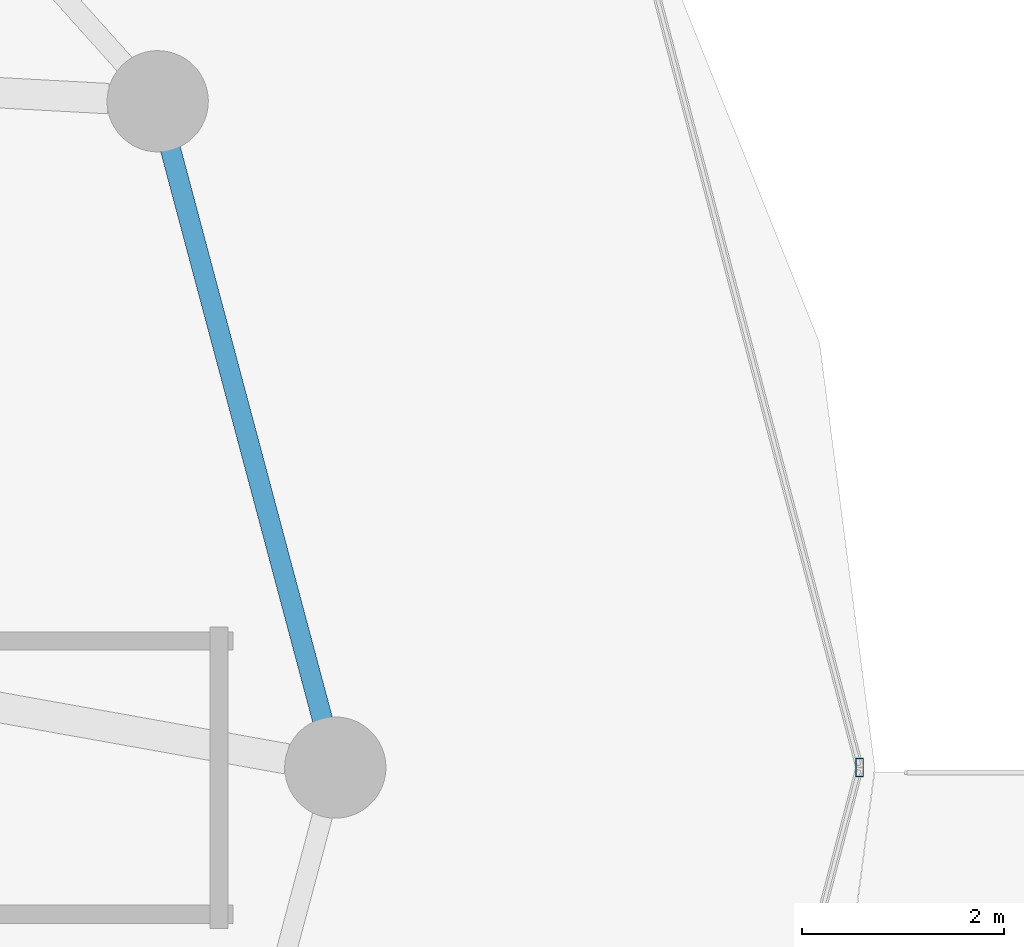
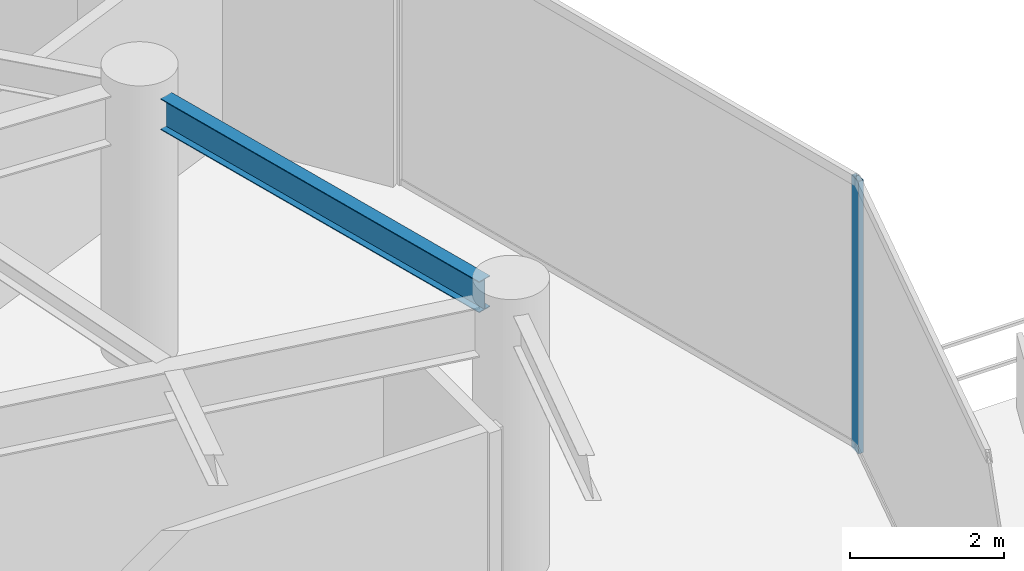
# One storey, part 15 of 31: 1 beam, 1 member, 1 element without a shape of its own.
"""IFC4 building model written with IfcOpenShell, lengths in metres."""

import ifcopenshell
import ifcopenshell.guid

model = None  # the IFC model being written
_history = None  # IfcOwnerHistory: only IFC2X3 demands one
_inside = {}  # id of a spatial element -> (the spatial element, [elements in it])
_under = {}  # id of a project, library or spatial element -> (it, [spatial elements below it])
_declared = {}  # id of a project -> (the project, [libraries it declares])
_typed = {}  # id of a type object -> (the type object, [elements of that type])
_made_of = {}  # id of a material, layer set ... -> (it, [elements and type objects made of it])


def new_model(schema):
    """Start an empty IFC model of exactly this schema.

    Asked for "IFC4X3", IfcOpenShell would pick the latest addendum, in which some entities
    have other attributes; the version numbers below select the first issue.
    IFC2X3 requires an IfcOwnerHistory on every rooted entity: one is made here for all.
    """
    global model, _history
    if schema == "IFC4X3":
        model = ifcopenshell.file(schema_version=(4, 3, 0, 0))
    else:
        model = ifcopenshell.file(schema=schema)
    _inside.clear()
    _under.clear()
    _declared.clear()
    _typed.clear()
    _made_of.clear()
    _history = None
    if model.schema == "IFC2X3":
        org = make("IfcOrganization", Name="unknown")
        user = make(
            "IfcPersonAndOrganization",
            ThePerson=make("IfcPerson", FamilyName="unknown"),
            TheOrganization=org,
        )
        app = make(
            "IfcApplication",
            ApplicationDeveloper=org,
            Version="unknown",
            ApplicationFullName="unknown",
            ApplicationIdentifier="unknown",
        )
        _history = make(
            "IfcOwnerHistory",
            OwningUser=user,
            OwningApplication=app,
            ChangeAction="ADDED",
            CreationDate=0,
        )
    return model


def make(cls, **values):
    """One entity of the class cls with the attributes given. An attribute that is None is left unset."""
    return model.create_entity(
        cls, **{name: value for name, value in values.items() if value is not None}
    )


def rooted(cls, **values):
    """An entity with a GlobalId (a new one), such as an element, a storey or a relation."""
    return make(cls, GlobalId=ifcopenshell.guid.new(), OwnerHistory=_history, **values)


def si_unit(unit_type, name, prefix=None):
    """IfcSIUnit, for example si_unit("LENGTHUNIT", "METRE", prefix="MILLI")."""
    return make("IfcSIUnit", UnitType=unit_type, Prefix=prefix, Name=name)


def assignment(units):
    """IfcUnitAssignment: the units of a project."""
    return None if units is None else make("IfcUnitAssignment", Units=units)


def point(xyz):
    """IfcCartesianPoint."""
    return None if xyz is None else make("IfcCartesianPoint", Coordinates=xyz)


def direction(xyz):
    """IfcDirection."""
    return None if xyz is None else make("IfcDirection", DirectionRatios=xyz)


def frame(location, z_axis=None, x_axis=None):
    """IfcAxis2Placement3D, a coordinate frame: its origin and axes. An axis left out is left unset."""
    return make(
        "IfcAxis2Placement3D",
        Location=point(location),
        Axis=direction(z_axis),
        RefDirection=direction(x_axis),
    )


def frame_2d(location, x_axis=None):
    """IfcAxis2Placement2D, a coordinate frame in the plane: its origin and x axis."""
    return make(
        "IfcAxis2Placement2D", Location=point(location), RefDirection=direction(x_axis)
    )


def origin():
    """The frame at (0, 0, 0) with its axes left unset."""
    return frame((0.0, 0.0, 0.0))


def origin_2d():
    """The frame at (0, 0) in the plane with its x axis left unset."""
    return frame_2d((0.0, 0.0))


def place(relative_to, where):
    """IfcLocalPlacement: puts the frame where relative to a parent placement (None: the world)."""
    return make(
        "IfcLocalPlacement", PlacementRelTo=relative_to, RelativePlacement=where
    )


def context(
    kind, dimensions, precision=None, world=None, true_north=None, identifier=None
):
    """IfcGeometricRepresentationContext, for example the 3D "Model" context."""
    return make(
        "IfcGeometricRepresentationContext",
        ContextIdentifier=identifier,
        ContextType=kind,
        CoordinateSpaceDimension=dimensions,
        Precision=precision,
        WorldCoordinateSystem=world,
        TrueNorth=true_north,
    )


def subcontext(parent, identifier, kind, view, scale=None):
    """IfcGeometricRepresentationSubContext, for example "Body" below "Model"."""
    return make(
        "IfcGeometricRepresentationSubContext",
        ContextIdentifier=identifier,
        ContextType=kind,
        ParentContext=parent,
        TargetScale=scale,
        TargetView=view,
    )


def project(units=None, contexts=None):
    """IfcProject with its units and contexts."""
    return rooted(
        "IfcProject",
        Name="project",
        RepresentationContexts=contexts,
        UnitsInContext=assignment(units),
    )


def spatial(cls, under=None, at=None, **own):
    """A site, building, storey or space (cls), placed at a placement, below another one or the project."""
    s = rooted(cls, ObjectPlacement=at, **own)
    if under is not None:
        _under.setdefault(under.id(), (under, []))[1].append(s)
    return s


def profile(cls, at=None, kind="AREA", **sizes):
    """A parametric profile (cls). Its sizes go by their IFC names, for example OverallWidth=200.0."""
    return make(cls, ProfileType=kind, Position=at, **sizes)


def hollow_rectangle(**sizes):
    """IfcRectangleHollowProfileDef."""
    return profile("IfcRectangleHollowProfileDef", **sizes)


def i_section(**sizes):
    """IfcIShapeProfileDef."""
    return profile("IfcIShapeProfileDef", **sizes)


def extrude(swept, where, along, depth):
    """IfcExtrudedAreaSolid: the profile swept, set in the frame where, extruded along a direction by depth."""
    return make(
        "IfcExtrudedAreaSolid",
        SweptArea=swept,
        Position=where,
        ExtrudedDirection=direction(along),
        Depth=depth,
    )


def shape(context_of_items, identifier, shape_type, items):
    """IfcShapeRepresentation: the items that make up one representation, for example the "Body"."""
    return make(
        "IfcShapeRepresentation",
        ContextOfItems=context_of_items,
        RepresentationIdentifier=identifier,
        RepresentationType=shape_type,
        Items=items,
    )


def material(Name=None, Category=None):
    """IfcMaterial."""
    return make("IfcMaterial", Name=Name, Category=Category)


def material_profile(
    of_material, cross_section, Name=None, Category=None, Priority=None
):
    """IfcMaterialProfile: a cross section and its material."""
    return make(
        "IfcMaterialProfile",
        Name=Name,
        Material=of_material,
        Profile=cross_section,
        Priority=Priority,
        Category=Category,
    )


def profile_set(profiles, Name=None, composite=None):
    """IfcMaterialProfileSet."""
    return make(
        "IfcMaterialProfileSet",
        Name=Name,
        MaterialProfiles=profiles,
        CompositeProfile=composite,
    )


def made_of(thing, what):
    """Note that an element or type object is made of a material, layer set ...; save() writes the relation."""
    if what is not None:
        _made_of.setdefault(what.id(), (what, []))[1].append(thing)
    return thing


def type_object(cls, material=None, **own):
    """A type object (cls), such as IfcWallType, which elements share."""
    return made_of(rooted(cls, **own), material)


def element(
    cls,
    number,
    at=None,
    inside=None,
    cuts=None,
    type_object=None,
    material=None,
    context=None,
    identifier="Body",
    shape_type=None,
    held_by="IfcProductDefinitionShape",
    body=None,
    shapes=None,
    **own,
):
    """One element of the class cls, such as IfcWall. Its Tag is "e" and its number.

    at: its placement. inside: the storey or other place that contains it. cuts: it is an
    opening in that element (IfcRelVoidsElement). A single representation is given by context,
    identifier, shape_type and body (its items); several are given by shapes. held_by: the class
    of the entity that holds the representations. save() writes the other relations.
    """
    e = rooted(cls, Tag="e%d" % number, ObjectPlacement=at, **own)
    if body is not None:
        shapes = [shape(context, identifier, shape_type, body)]
    if shapes is not None:
        e.Representation = make(held_by, Representations=shapes)
    if inside is not None:
        _inside.setdefault(inside.id(), (inside, []))[1].append(e)
    if cuts is not None:
        rooted(
            "IfcRelVoidsElement", RelatingBuildingElement=cuts, RelatedOpeningElement=e
        )
    if type_object is not None:
        _typed.setdefault(type_object.id(), (type_object, []))[1].append(e)
    return made_of(e, material)


def aggregate(whole, parts):
    """IfcRelAggregates: a whole, such as a stair, and the parts it consists of."""
    return rooted("IfcRelAggregates", RelatingObject=whole, RelatedObjects=parts)


def save(model, path):
    """Write the relations noted so far, then the file.

    IfcRelAggregates (storeys below a building ...), IfcRelContainedInSpatialStructure (elements
    in a storey), IfcRelDefinesByType, IfcRelAssociatesMaterial and IfcRelDeclares: one each for
    every whole, place, type object, material and project.
    """
    for whole, parts in _under.values():
        aggregate(whole, parts)
    for where, things in _inside.values():
        rooted(
            "IfcRelContainedInSpatialStructure",
            RelatedElements=things,
            RelatingStructure=where,
        )
    for kind, things in _typed.values():
        rooted("IfcRelDefinesByType", RelatedObjects=things, RelatingType=kind)
    for what, things in _made_of.values():
        rooted("IfcRelAssociatesMaterial", RelatedObjects=things, RelatingMaterial=what)
    for by, libraries in _declared.values():
        rooted("IfcRelDeclares", RelatingContext=by, RelatedDefinitions=libraries)
    model.write(path)


model = new_model("IFC4")

# Units and contexts
model_context = context("Model", 3, precision=1e-05, world=origin(), true_north=direction((0.0, 1.0)))
body_context = subcontext(model_context, "Body", "Model", "MODEL_VIEW")
ifc_project = project(units=[si_unit("LENGTHUNIT", "METRE"), si_unit("AREAUNIT", "SQUARE_METRE"), si_unit("VOLUMEUNIT", "CUBIC_METRE"), si_unit("PLANEANGLEUNIT", "RADIAN"), si_unit("MASSUNIT", "GRAM", prefix="KILO")], contexts=[model_context])

# Site, building, storey
site_placement = place(None, origin())
site = spatial("IfcSite", under=ifc_project, at=site_placement, CompositionType="ELEMENT")
building_placement = place(site_placement, origin())
building = spatial("IfcBuilding", under=site, at=building_placement, Name="Vorneva Point Tower", CompositionType="ELEMENT")
storey_placement = place(building_placement, frame((0.0, 0.0, 174.60009765625)))
storey = spatial("IfcBuildingStorey", under=building, at=storey_placement, Name="L47", CompositionType="ELEMENT", Elevation=174.60009765625)

# Beam
ifc_material_1 = material(Name="Steel S355", Category="steel")
ifc_material_profile_1 = material_profile(ifc_material_1, i_section(OverallWidth=0.199951171875, OverallDepth=0.491943359375, WebThickness=0.0087890625, FlangeThickness=0.011962890625, at=origin_2d()), Name="50B1")
ifc_profile_set_1 = profile_set([ifc_material_profile_1], Name="Steel S355")
beam_type = type_object("IfcBeamType", Name="BM-SPN-50B1", PredefinedType="SPANDREL", material=ifc_profile_set_1)
beam_placement = place(storey_placement, frame((60.925048828125, 26.468505859375, 3.993896484375), z_axis=(-0.257550804648, 0.966264758245, 0.0), x_axis=(-0.966264758245, -0.257550804648, 0.0)))
element("IfcBeam", 1, at=beam_placement, inside=storey, type_object=beam_type, Name="L47 Perimeter Spandrel Ring Beam 01", PredefinedType="SPANDREL", context=body_context, shape_type="SweptSolid", body=[
    extrude(i_section(OverallWidth=0.199951171875, OverallDepth=0.491943359375, WebThickness=0.0087890625, FlangeThickness=0.011962890625, at=origin_2d()), origin(), (0.0, 0.0, 1.0), 5.842041015625),
])

# Curtain wall, member
ifc_material_2 = material(Name="Pale anodised aluminium", Category="aluminium")
curtain_wall_type = type_object("IfcCurtainWallType", Name="CW-SKY-SYS", PredefinedType="NOTDEFINED", material=ifc_material_2)
curtain_wall_placement = place(storey_placement, origin())
curtain_wall = element("IfcCurtainWall", 2, at=curtain_wall_placement, inside=storey, type_object=curtain_wall_type, Name="L47 Unitised Curtain Wall CW-L47-R01", PredefinedType="NOTDEFINED")
ifc_material_profile_2 = material_profile(ifc_material_2, hollow_rectangle(XDim=0.074951171875, YDim=0.179931640625, WallThickness=0.00390625, at=origin_2d()), Name="AL-MUL 180x75x4")
ifc_profile_set_2 = profile_set([ifc_material_profile_2], Name="Pale anodised aluminium")
member_type = type_object("IfcMemberType", Name="CW-MUL-180", PredefinedType="MULLION", material=ifc_profile_set_2)
member_placement = place(storey_placement, frame((66.22998046875, 26.0, -0.0400390625), z_axis=(0.0, 0.0, 1.0), x_axis=(1.0, 0.0, 0.0)))
member = element("IfcMember", 3, at=member_placement, type_object=member_type, Name="CW-L47-R01 Mullion 04", PredefinedType="MULLION", context=body_context, shape_type="SweptSolid", body=[
    extrude(hollow_rectangle(XDim=0.074951171875, YDim=0.179931640625, WallThickness=0.00390625, at=origin_2d()), origin(), (0.0, 0.0, 1.0), 4.31005859375),
])
aggregate(curtain_wall, [member])

save(model, "model.ifc")
